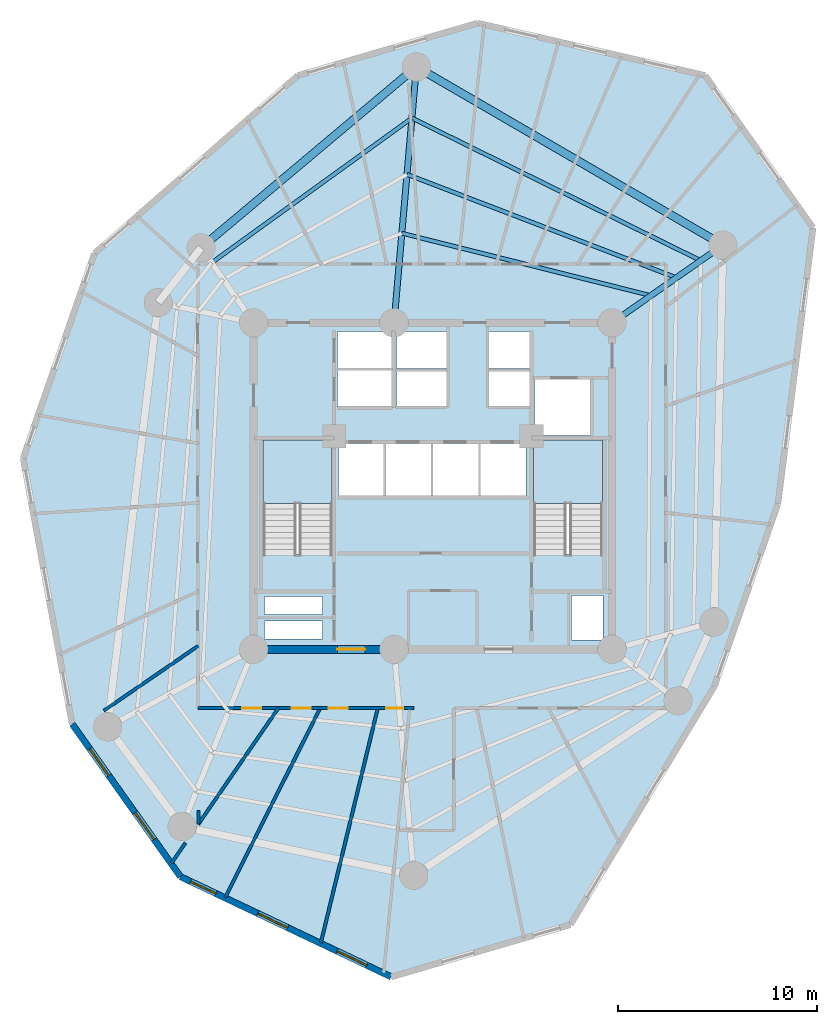
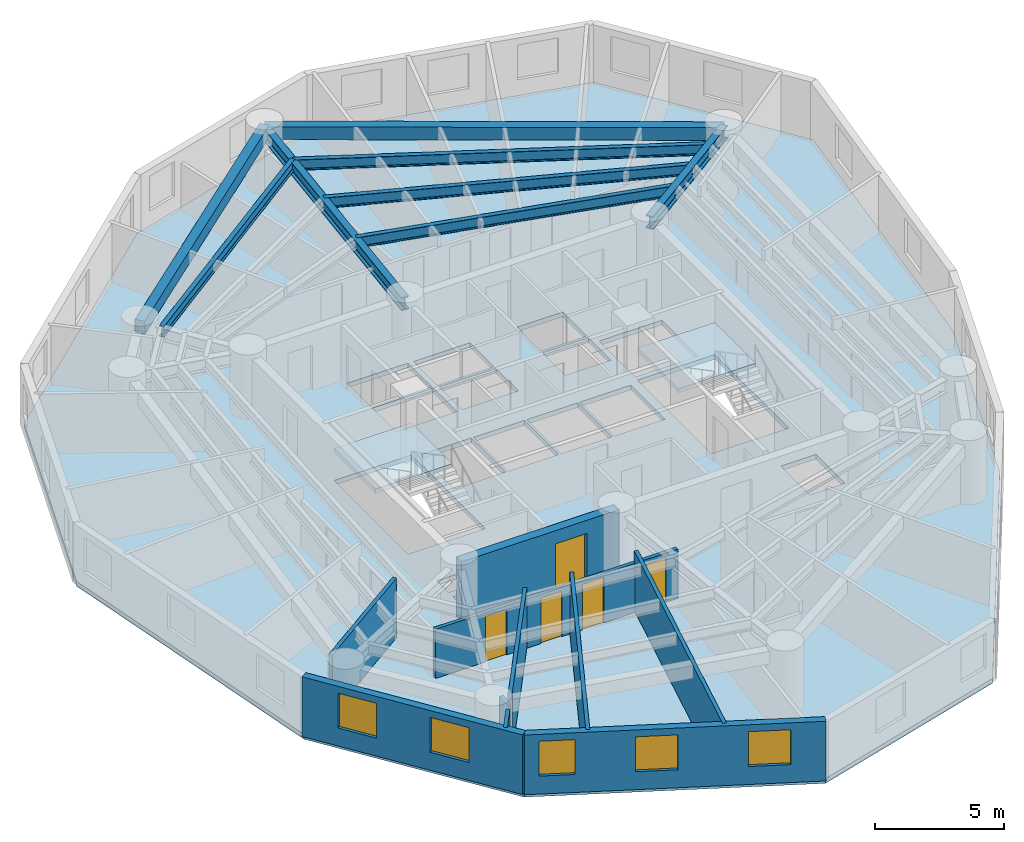
# One storey, part 2 of 7: 10 walls, 8 beams, 5 doors, 5 windows, 3 slabs, 10 openings, 2 elements without a shape of their own.
"""IFC4 building model written with IfcOpenShell, lengths in metres."""

from ifc_helpers import new_model, si_unit, direction, frame, frame_2d, origin, origin_with_axes, origin_2d, place, context, subcontext, project, spatial, polyline, rectangle, i_section, outline, extrude, source, transform, mapped, material, layer, layer_set, material_profile, profile_set, type_object, element, fill, aggregate, save


model = new_model("IFC4")

# Units and contexts
model_context = context("Model", 3, precision=1e-05, world=origin(), true_north=direction((0.0, 1.0)))
body_context = subcontext(model_context, "Body", "Model", "MODEL_VIEW")
ifc_project = project(units=[si_unit("LENGTHUNIT", "METRE"), si_unit("AREAUNIT", "SQUARE_METRE"), si_unit("VOLUMEUNIT", "CUBIC_METRE"), si_unit("PLANEANGLEUNIT", "RADIAN"), si_unit("MASSUNIT", "GRAM", prefix="KILO")], contexts=[model_context])

# Site, building, storey
site_placement = place(None, origin())
site = spatial("IfcSite", under=ifc_project, at=site_placement, CompositionType="ELEMENT")
building_placement = place(site_placement, origin())
building = spatial("IfcBuilding", under=site, at=building_placement, Name="Karkom Vertical University and Central Library", CompositionType="ELEMENT")
storey_placement = place(building_placement, frame((0.0, 0.0, 138.89990234375)))
storey = spatial("IfcBuildingStorey", under=building, at=storey_placement, Name="L39", CompositionType="ELEMENT", Elevation=138.89990234375)

# Beams
ifc_material_1 = material(Name="Precast concrete C45/55", Category="concrete")
ifc_material_profile_1 = material_profile(ifc_material_1, rectangle(XDim=0.39990234375, YDim=0.60009765625, at=origin_2d()), Name="SPB-400x600")
ifc_profile_set_1 = profile_set([ifc_material_profile_1], Name="Precast concrete C45/55")
beam_type_1 = type_object("IfcBeamType", Name="STR-BM-SP-1", PredefinedType="SPANDREL", material=ifc_profile_set_1)
shared_shape_1 = source(origin_with_axes(), body_context, "Body", "SweptSolid", [
    extrude(rectangle(XDim=0.39990234375, YDim=0.60009765625, at=origin_2d()), origin(), (0.0, 0.0, 1.0), 17.808837890625),
])
beam_1_placement = place(storey_placement, frame((43.070068359375, 38.60009765625, 2.525146484375), z_axis=(-0.864512866362, 0.502610688202, 0.0), x_axis=(-0.502610688202, -0.864512866362, 0.0)))
element("IfcBeam", 1, at=beam_1_placement, inside=storey, type_object=beam_type_1, Name="Level 39 Perimeter Spandrel Beam 02", PredefinedType="SPANDREL", context=body_context, shape_type="MappedRepresentation", body=[
    mapped(shared_shape_1, transform((0.0, 0.0, 0.0), scale=1.0)),
])
shared_shape_2 = source(origin_with_axes(), body_context, "Body", "SweptSolid", [
    extrude(rectangle(XDim=0.39990234375, YDim=0.60009765625, at=origin_2d()), origin(), (0.0, 0.0, 1.0), 14.120849609375),
])
beam_2_placement = place(storey_placement, frame((27.674072265625, 47.551025390625, 2.525146484375), z_axis=(-0.765672847866, -0.643230199883, 0.0), x_axis=(0.643230199883, -0.765672847866, 0.0)))
element("IfcBeam", 2, at=beam_2_placement, inside=storey, type_object=beam_type_1, Name="Level 39 Perimeter Spandrel Beam 03", PredefinedType="SPANDREL", context=body_context, shape_type="MappedRepresentation", body=[
    mapped(shared_shape_2, transform((0.0, 0.0, 0.0), scale=1.0)),
])
ifc_material_2 = material(Name="Steel S355", Category="steel")
ifc_material_profile_2 = material_profile(ifc_material_2, i_section(OverallWidth=0.199951171875, OverallDepth=0.5, WebThickness=0.01025390625, FlangeThickness=0.01611328125, FilletRadius=0.02099609375, at=origin_2d()), Name="IPE 500")
ifc_profile_set_2 = profile_set([ifc_material_profile_2], Name="Steel S355")
beam_type_2 = type_object("IfcBeamType", Name="STR-BM-SB-IPE500", PredefinedType="BEAM", material=ifc_profile_set_2)
shared_shape_3 = source(origin_with_axes(), body_context, "Body", "SweptSolid", [
    extrude(i_section(OverallWidth=0.199951171875, OverallDepth=0.5, WebThickness=0.01025390625, FlangeThickness=0.01611328125, FilletRadius=0.02099609375, at=origin_2d()), origin(), (0.0, 0.0, 1.0), 12.892578125),
])
beam_3_placement = place(storey_placement, frame((39.449462890625, 36.06494140625, 2.5751953125), z_axis=(-0.970023194321, 0.243012350468, 0.0), x_axis=(-0.243012350468, -0.970023194321, 0.0)))
element("IfcBeam", 3, at=beam_3_placement, inside=storey, type_object=beam_type_2, Name="Level 39 Secondary Composite Floor Beam 1.02", PredefinedType="BEAM", context=body_context, shape_type="MappedRepresentation", body=[
    mapped(shared_shape_3, transform((0.0, 0.0, 0.0), scale=1.0)),
])
shared_shape_4 = source(origin_with_axes(), body_context, "Body", "SweptSolid", [
    extrude(i_section(OverallWidth=0.199951171875, OverallDepth=0.5, WebThickness=0.01025390625, FlangeThickness=0.01611328125, FilletRadius=0.02099609375, at=origin_2d()), origin(), (0.0, 0.0, 1.0), 14.49072265625),
])
beam_4_placement = place(storey_placement, frame((40.730712890625, 36.9619140625, 2.5751953125), z_axis=(-0.93361673171, 0.35827335691, 0.0), x_axis=(-0.35827335691, -0.93361673171, 0.0)))
element("IfcBeam", 4, at=beam_4_placement, inside=storey, type_object=beam_type_2, Name="Level 39 Secondary Composite Floor Beam 2.02", PredefinedType="BEAM", context=body_context, shape_type="MappedRepresentation", body=[
    mapped(shared_shape_4, transform((0.0, 0.0, 0.0), scale=1.0)),
])
shared_shape_5 = source(origin_with_axes(), body_context, "Body", "SweptSolid", [
    extrude(i_section(OverallWidth=0.199951171875, OverallDepth=0.5, WebThickness=0.01025390625, FlangeThickness=0.01611328125, FilletRadius=0.02099609375, at=origin_2d()), origin(), (0.0, 0.0, 1.0), 16.177978515625),
])
beam_5_placement = place(storey_placement, frame((41.9560546875, 37.820068359375, 2.5751953125), z_axis=(-0.896709262653, 0.442620038263, 0.0), x_axis=(-0.442620038263, -0.896709262653, 0.0)))
element("IfcBeam", 5, at=beam_5_placement, inside=storey, type_object=beam_type_2, Name="Level 39 Secondary Composite Floor Beam 3.02", PredefinedType="BEAM", context=body_context, shape_type="MappedRepresentation", body=[
    mapped(shared_shape_5, transform((0.0, 0.0, 0.0), scale=1.0)),
])
shared_shape_6 = source(origin_with_axes(), body_context, "Body", "SweptSolid", [
    extrude(i_section(OverallWidth=0.199951171875, OverallDepth=0.5, WebThickness=0.01025390625, FlangeThickness=0.01611328125, FilletRadius=0.02099609375, at=origin_2d()), origin(), (0.0, 0.0, 1.0), 12.409423828125),
])
beam_6_placement = place(storey_placement, frame((27.44921875, 44.980712890625, 2.5751953125), z_axis=(-0.810636686292, -0.585549453793, 0.0), x_axis=(0.585549453793, -0.810636686292, 0.0)))
element("IfcBeam", 6, at=beam_6_placement, inside=storey, type_object=beam_type_2, Name="Level 39 Secondary Composite Floor Beam 3.03", PredefinedType="BEAM", context=body_context, shape_type="MappedRepresentation", body=[
    mapped(shared_shape_6, transform((0.0, 0.0, 0.0), scale=1.0)),
])
ifc_material_profile_3 = material_profile(ifc_material_2, i_section(OverallWidth=0.300048828125, OverallDepth=0.60009765625, WebThickness=0.015380859375, FlangeThickness=0.030029296875, FilletRadius=0.027099609375, at=origin_2d()), Name="HE 600 B")
ifc_profile_set_3 = profile_set([ifc_material_profile_3], Name="Steel S355")
beam_type_3 = type_object("IfcBeamType", Name="STR-BM-SB-HE600", PredefinedType="USERDEFINED", material=ifc_profile_set_3)
shared_shape_7 = source(origin_with_axes(), body_context, "Body", "SweptSolid", [
    extrude(i_section(OverallWidth=0.300048828125, OverallDepth=0.60009765625, WebThickness=0.015380859375, FlangeThickness=0.030029296875, FilletRadius=0.027099609375, at=origin_2d()), origin(), (0.0, 0.0, 1.0), 6.7998046875),
])
beam_7_placement = place(storey_placement, frame((37.5, 34.699951171875, 2.525146484375), z_axis=(0.819156008334, 0.573570775066, 0.0), x_axis=(-0.573570775066, 0.819156008334, 0.0)))
element("IfcBeam", 7, at=beam_7_placement, inside=storey, type_object=beam_type_3, Name="Level 39 Radial Frame Girder 02", ObjectType="GIRDER", PredefinedType="USERDEFINED", context=body_context, shape_type="MappedRepresentation", body=[
    mapped(shared_shape_7, transform((0.0, 0.0, 0.0), scale=1.0)),
])
shared_shape_8 = source(origin_with_axes(), body_context, "Body", "SweptSolid", [
    extrude(i_section(OverallWidth=0.300048828125, OverallDepth=0.60009765625, WebThickness=0.015380859375, FlangeThickness=0.030029296875, FilletRadius=0.027099609375, at=origin_2d()), origin(), (0.0, 0.0, 1.0), 12.900146484375),
])
beam_8_placement = place(storey_placement, frame((26.550048828125, 34.699951171875, 2.525146484375), z_axis=(0.087132673751, 0.996196716098, 0.0), x_axis=(-0.996196716098, 0.087132673751, 0.0)))
element("IfcBeam", 8, at=beam_8_placement, inside=storey, type_object=beam_type_3, Name="Level 39 Radial Frame Girder 03", ObjectType="GIRDER", PredefinedType="USERDEFINED", context=body_context, shape_type="MappedRepresentation", body=[
    mapped(shared_shape_8, transform((0.0, 0.0, 0.0), scale=1.0)),
])

# Stair, slab
ifc_material_3 = material(Name="Concrete C45/55", Category="concrete")
stair_type = type_object("IfcStairType", Name="INT-STR-ST-MAIN", PredefinedType="HALF_TURN_STAIR", material=ifc_material_3)
stair_1_placement = place(storey_placement, origin())
stair_1 = element("IfcStair", 9, at=stair_1_placement, inside=storey, type_object=stair_type, Name="Level 39 Tower Protected Exit Stair ST-1", PredefinedType="HALF_TURN_STAIR")
ifc_layer_1 = layer(ifc_material_3, 0.199951171875)
ifc_layer_set_1 = layer_set([ifc_layer_1], Name="Concrete C45/55")
slab_type_1 = type_object("IfcSlabType", Name="INT-SLB-LANDING", PredefinedType="LANDING", material=ifc_layer_set_1)
slab_1_placement = place(storey_placement, frame((0.0, 0.0, 1.3251953125)))
slab_1 = element("IfcSlab", 10, at=slab_1_placement, type_object=slab_type_1, Name="ST-1 landing 1", PredefinedType="LANDING", context=body_context, shape_type="SweptSolid", body=[
    extrude(outline(polyline([(23.43994140625, 25.6298828125), (23.43994140625, 28.820068359375), (19.97998046875, 28.820068359375), (19.97998046875, 25.6298828125), (23.43994140625, 25.6298828125)])), origin(), (0.0, 0.0, 1.0), 0.199951171875),
])
aggregate(stair_1, [slab_1])

stair_2_placement = place(storey_placement, origin())
stair_2 = element("IfcStair", 11, at=stair_2_placement, inside=storey, type_object=stair_type, Name="Level 39 Tower Protected Exit Stair ST-2", PredefinedType="HALF_TURN_STAIR")
slab_2_placement = place(storey_placement, frame((0.0, 0.0, 1.3251953125)))
slab_2 = element("IfcSlab", 12, at=slab_2_placement, type_object=slab_type_1, Name="ST-2 landing 1", PredefinedType="LANDING", context=body_context, shape_type="SweptSolid", body=[
    extrude(outline(polyline([(37.02001953125, 25.6298828125), (37.02001953125, 28.820068359375), (33.56005859375, 28.820068359375), (33.56005859375, 25.6298828125), (37.02001953125, 25.6298828125)])), origin(), (0.0, 0.0, 1.0), 0.199951171875),
])
aggregate(stair_2, [slab_2])

# Slab
ifc_layer_2 = layer(ifc_material_3, 0.22509765625)
ifc_layer_set_2 = layer_set([ifc_layer_2], Name="Concrete C45/55")
slab_type_2 = type_object("IfcSlabType", Name="STR-SLB-FLR-225", PredefinedType="FLOOR", material=ifc_layer_set_2)
slab_3_placement = place(storey_placement, frame((0.0, 0.0, -0.224853515625)))
element("IfcSlab", 13, at=slab_3_placement, inside=storey, type_object=slab_type_2, Name="Level 39 Tower Structural Floor Slab", PredefinedType="FLOOR", context=body_context, shape_type="SweptSolid", body=[
    extrude(outline(polyline([(11.503173828125, 38.1787109375), (7.92529296875, 27.905029296875), (10.386474609375, 14.54736328125), (15.82275390625, 6.882080078125), (26.40380859375, 1.85009765625), (35.406005859375, 4.474853515625), (42.632568359375, 16.43603515625), (45.826904296875, 25.608642578125), (47.593017578125, 39.47119140625), (42.16845703125, 47.1201171875), (30.75048828125, 49.7490234375), (21.72900390625, 47.118408203125), (11.503173828125, 38.1787109375)]), holes=[polyline([(19.97998046875, 23.0849609375), (23.43994140625, 23.0849609375), (23.43994140625, 28.820068359375), (19.97998046875, 28.820068359375), (19.97998046875, 23.0849609375)]), polyline([(33.56005859375, 23.0849609375), (37.02001953125, 23.0849609375), (37.02001953125, 28.820068359375), (33.56005859375, 28.820068359375), (33.56005859375, 23.0849609375)]), polyline([(23.75, 26.0), (26.030029296875, 26.0), (26.030029296875, 28.64990234375), (23.75, 28.64990234375), (23.75, 26.0)]), polyline([(26.1298828125, 26.0), (28.409912109375, 26.0), (28.409912109375, 28.64990234375), (26.1298828125, 28.64990234375), (26.1298828125, 26.0)]), polyline([(28.510009765625, 26.0), (30.7900390625, 26.0), (30.7900390625, 28.64990234375), (28.510009765625, 28.64990234375), (28.510009765625, 26.0)]), polyline([(30.889892578125, 26.0), (33.169921875, 26.0), (33.169921875, 28.64990234375), (30.889892578125, 28.64990234375), (30.889892578125, 26.0)]), polyline([(26.679931640625, 30.5), (29.199951171875, 30.5), (29.199951171875, 32.25), (26.679931640625, 32.25), (26.679931640625, 30.5)]), polyline([(26.679931640625, 32.39990234375), (29.199951171875, 32.39990234375), (29.199951171875, 34.25), (26.679931640625, 34.25), (26.679931640625, 32.39990234375)]), polyline([(31.300048828125, 30.5), (33.35009765625, 30.5), (33.35009765625, 32.25), (31.300048828125, 32.25), (31.300048828125, 30.5)]), polyline([(31.300048828125, 32.39990234375), (33.35009765625, 32.39990234375), (33.35009765625, 34.25), (31.300048828125, 34.25), (31.300048828125, 32.39990234375)]), polyline([(23.719970703125, 30.47998046875), (26.429931640625, 30.47998046875), (26.429931640625, 32.320068359375), (23.719970703125, 32.320068359375), (23.719970703125, 30.47998046875)]), polyline([(23.719970703125, 32.419921875), (26.429931640625, 32.419921875), (26.429931640625, 34.260009765625), (23.719970703125, 34.260009765625), (23.719970703125, 32.419921875)]), polyline([(33.60009765625, 29.050048828125), (36.39990234375, 29.050048828125), (36.39990234375, 31.85009765625), (33.60009765625, 31.85009765625), (33.60009765625, 29.050048828125)]), polyline([(20.050048828125, 18.820068359375), (22.949951171875, 18.820068359375), (22.949951171875, 19.719970703125), (20.050048828125, 19.719970703125), (20.050048828125, 18.820068359375)]), polyline([(20.050048828125, 20.06005859375), (22.949951171875, 20.06005859375), (22.949951171875, 20.9599609375), (20.050048828125, 20.9599609375), (20.050048828125, 20.06005859375)]), polyline([(35.4599609375, 18.760009765625), (37.0400390625, 18.760009765625), (37.0400390625, 21.010009765625), (35.4599609375, 21.010009765625), (35.4599609375, 18.760009765625)])]), origin(), (0.0, 0.0, 1.0), 0.224853515625),
])

# Wall, openings, windows
ifc_material_4 = material(Name="Brick-faced precast concrete C45/55", Category="masonry")
ifc_layer_3 = layer(ifc_material_4, 0.320068359375)
ifc_layer_set_3 = layer_set([ifc_layer_3], Name="Brick-faced precast concrete C45/55")
wall_type_1 = type_object("IfcWallType", Name="ENV-WL-BRK-320", PredefinedType="SOLIDWALL", material=ifc_layer_set_3)
wall_1_placement = place(storey_placement, frame((10.386474609375, 14.54736328125, 0.0), z_axis=(0.0, 0.0, 1.0), x_axis=(0.578492267771, -0.815687866852, 0.0)))
wall_1 = element("IfcWall", 14, at=wall_1_placement, inside=storey, type_object=wall_type_1, Name="Level 39 Brick-Faced Precast Facade Wall 03", PredefinedType="SOLIDWALL", context=body_context, shape_type="SweptSolid", body=[
    extrude(rectangle(XDim=9.397216796875, YDim=0.320068359375, at=frame_2d((4.69873046875, 0.0))), origin(), (0.0, 0.0, 1.0), 2.8251953125),
])
opening_1_placement = place(wall_1_placement, frame((1.522705078125, 0.0, 0.85009765625)))
opening_1 = element("IfcOpeningElement", 15, at=opening_1_placement, cuts=wall_1, Name="Opening WN-06", PredefinedType="OPENING", context=body_context, shape_type="SweptSolid", body=[
    extrude(rectangle(XDim=1.64990234375, YDim=1.64990234375, at=frame_2d((0.824951171875, 0.824951171875))), frame((0.0, 0.169921875, 0.0), z_axis=(0.0, -1.0, 0.0), x_axis=(1.0, 0.0, 0.0)), (0.0, 0.0, 1.0), 0.340087890625),
])
opening_2_placement = place(wall_1_placement, frame((5.457763671875, 0.0, 0.85009765625)))
opening_2 = element("IfcOpeningElement", 16, at=opening_2_placement, cuts=wall_1, Name="Opening WN-06", PredefinedType="OPENING", context=body_context, shape_type="SweptSolid", body=[
    extrude(rectangle(XDim=1.64990234375, YDim=1.64990234375, at=frame_2d((0.824951171875, 0.824951171875))), frame((0.0, 0.169921875, 0.0), z_axis=(0.0, -1.0, 0.0), x_axis=(1.0, 0.0, 0.0)), (0.0, 0.0, 1.0), 0.340087890625),
])
ifc_material_5 = material(Name="Aluminium thermal-break frame with solar-control IGU", Category="aluminium")
window_type_1 = type_object("IfcWindowType", Name="ENV-WIN-WN-06", PartitioningType="SINGLE_PANEL", PredefinedType="WINDOW", material=ifc_material_5)
shared_shape_9 = source(origin_with_axes(), body_context, "Body", "SweptSolid", [
    extrude(rectangle(XDim=1.64990234375, YDim=1.64990234375, at=frame_2d((0.824951171875, 0.824951171875))), frame((0.0, 0.030029296875, 0.0), z_axis=(0.0, -1.0, 0.0), x_axis=(1.0, 0.0, 0.0)), (0.0, 0.0, 1.0), 0.06005859375),
])
window_1_placement = place(opening_1_placement, origin())
window_1 = element("IfcWindow", 17, at=window_1_placement, inside=storey, type_object=window_type_1, Name="Level 39 Punched Window 3.1", OverallHeight=1.64990234375, OverallWidth=1.64990234375, PartitioningType="SINGLE_PANEL", PredefinedType="WINDOW", context=body_context, shape_type="MappedRepresentation", body=[
    mapped(shared_shape_9, transform((0.0, 0.0, 0.0), scale=1.0)),
])
fill(opening_1, window_1)
window_2_placement = place(opening_2_placement, origin())
window_2 = element("IfcWindow", 18, at=window_2_placement, inside=storey, type_object=window_type_1, Name="Level 39 Punched Window 3.2", OverallHeight=1.64990234375, OverallWidth=1.64990234375, PartitioningType="SINGLE_PANEL", PredefinedType="WINDOW", context=body_context, shape_type="MappedRepresentation", body=[
    mapped(shared_shape_9, transform((0.0, 0.0, 0.0), scale=1.0)),
])
fill(opening_2, window_2)

wall_2_placement = place(storey_placement, frame((15.82275390625, 6.882080078125, 0.0), z_axis=(0.0, 0.0, 1.0), x_axis=(0.90307955689, -0.429473298271, 0.0)))
wall_2 = element("IfcWall", 19, at=wall_2_placement, inside=storey, type_object=wall_type_1, Name="Level 39 Brick-Faced Precast Facade Wall 04", PredefinedType="SOLIDWALL", context=body_context, shape_type="SweptSolid", body=[
    extrude(rectangle(XDim=11.716552734375, YDim=0.320068359375, at=frame_2d((5.8583984375, 0.0))), origin(), (0.0, 0.0, 1.0), 2.8251953125),
])
opening_3_placement = place(wall_2_placement, frame((0.5693359375, 0.0, 0.85009765625)))
opening_3 = element("IfcOpeningElement", 20, at=opening_3_placement, cuts=wall_2, Name="Opening WN-07", PredefinedType="OPENING", context=body_context, shape_type="SweptSolid", body=[
    extrude(rectangle(XDim=1.39990234375, YDim=1.64990234375, at=frame_2d((0.699951171875, 0.824951171875))), frame((0.0, 0.169921875, 0.0), z_axis=(0.0, -1.0, 0.0), x_axis=(1.0, 0.0, 0.0)), (0.0, 0.0, 1.0), 0.340087890625),
])
opening_4_placement = place(wall_2_placement, frame((4.309326171875, 0.0, 0.85009765625)))
opening_4 = element("IfcOpeningElement", 21, at=opening_4_placement, cuts=wall_2, Name="Opening WN-06", PredefinedType="OPENING", context=body_context, shape_type="SweptSolid", body=[
    extrude(rectangle(XDim=1.64990234375, YDim=1.64990234375, at=frame_2d((0.824951171875, 0.824951171875))), frame((0.0, 0.169921875, 0.0), z_axis=(0.0, -1.0, 0.0), x_axis=(1.0, 0.0, 0.0)), (0.0, 0.0, 1.0), 0.340087890625),
])
opening_5_placement = place(wall_2_placement, frame((8.7080078125, 0.0, 0.85009765625)))
opening_5 = element("IfcOpeningElement", 22, at=opening_5_placement, cuts=wall_2, Name="Opening WN-06", PredefinedType="OPENING", context=body_context, shape_type="SweptSolid", body=[
    extrude(rectangle(XDim=1.64990234375, YDim=1.64990234375, at=frame_2d((0.824951171875, 0.824951171875))), frame((0.0, 0.169921875, 0.0), z_axis=(0.0, -1.0, 0.0), x_axis=(1.0, 0.0, 0.0)), (0.0, 0.0, 1.0), 0.340087890625),
])
window_3_placement = place(opening_4_placement, origin())
window_3 = element("IfcWindow", 23, at=window_3_placement, inside=storey, type_object=window_type_1, Name="Level 39 Punched Window 4.2", OverallHeight=1.64990234375, OverallWidth=1.64990234375, PartitioningType="SINGLE_PANEL", PredefinedType="WINDOW", context=body_context, shape_type="MappedRepresentation", body=[
    mapped(shared_shape_9, transform((0.0, 0.0, 0.0), scale=1.0)),
])
fill(opening_4, window_3)
window_4_placement = place(opening_5_placement, origin())
window_4 = element("IfcWindow", 24, at=window_4_placement, inside=storey, type_object=window_type_1, Name="Level 39 Punched Window 4.3", OverallHeight=1.64990234375, OverallWidth=1.64990234375, PartitioningType="SINGLE_PANEL", PredefinedType="WINDOW", context=body_context, shape_type="MappedRepresentation", body=[
    mapped(shared_shape_9, transform((0.0, 0.0, 0.0), scale=1.0)),
])
fill(opening_5, window_4)
window_type_2 = type_object("IfcWindowType", Name="ENV-WIN-WN-07", PartitioningType="SINGLE_PANEL", PredefinedType="WINDOW", material=ifc_material_5)
shared_shape_10 = source(origin_with_axes(), body_context, "Body", "SweptSolid", [
    extrude(rectangle(XDim=1.39990234375, YDim=1.64990234375, at=frame_2d((0.699951171875, 0.824951171875))), frame((0.0, 0.030029296875, 0.0), z_axis=(0.0, -1.0, 0.0), x_axis=(1.0, 0.0, 0.0)), (0.0, 0.0, 1.0), 0.06005859375),
])
window_5_placement = place(opening_3_placement, origin())
window_5 = element("IfcWindow", 25, at=window_5_placement, inside=storey, type_object=window_type_2, Name="Level 39 Punched Window 4.1", OverallHeight=1.64990234375, OverallWidth=1.39990234375, PartitioningType="SINGLE_PANEL", PredefinedType="WINDOW", context=body_context, shape_type="MappedRepresentation", body=[
    mapped(shared_shape_10, transform((0.0, 0.0, 0.0), scale=1.0)),
])
fill(opening_3, window_5)

# Wall
ifc_material_6 = material(Name="Insulated metal-stud drywall 160mm", Category="gypsum")
ifc_layer_4 = layer(ifc_material_6, 0.159912109375)
ifc_layer_set_4 = layer_set([ifc_layer_4], Name="Insulated metal-stud drywall 160mm")
wall_type_2 = type_object("IfcWallType", Name="INT-WL-COR-160", PredefinedType="PARTITIONING", material=ifc_layer_set_4)
wall_3_placement = place(storey_placement, frame((25.741943359375, 15.379150390625, 0.0), z_axis=(0.0, 0.0, 1.0), x_axis=(-0.235616109052, -0.971846206534, 0.0)))
element("IfcWall", 26, at=wall_3_placement, inside=storey, type_object=wall_type_2, Name="Level 39 Interior Partition Wall L39-PW-008", PredefinedType="PARTITIONING", context=body_context, shape_type="SweptSolid", body=[
    extrude(rectangle(XDim=12.164794921875, YDim=0.159912109375, at=frame_2d((6.08251953125, 0.0))), origin(), (0.0, 0.0, 1.0), 2.8251953125),
])

# Wall, openings, doors
wall_4_placement = place(storey_placement, frame((27.550048828125, 15.35009765625, 0.0), z_axis=(0.0, 0.0, 1.0), x_axis=(-1.0, 0.0, 0.0)))
wall_4 = element("IfcWall", 27, at=wall_4_placement, inside=storey, type_object=wall_type_2, Name="Level 39 Interior Partition Wall L39-CORW-CW-001", PredefinedType="PARTITIONING", context=body_context, shape_type="SweptSolid", body=[
    extrude(rectangle(XDim=10.85009765625, YDim=0.159912109375, at=frame_2d((5.425048828125, 0.0))), origin(), (0.0, 0.0, 1.0), 2.3251953125),
])
opening_6_placement = place(wall_4_placement, frame((7.66259765625, 0.0, 0.0)))
opening_6 = element("IfcOpeningElement", 28, at=opening_6_placement, cuts=wall_4, Name="Opening D-RM1", PredefinedType="OPENING", context=body_context, shape_type="SweptSolid", body=[
    extrude(rectangle(XDim=0.949951171875, YDim=2.14990234375, at=frame_2d((0.47509765625, 1.074951171875))), frame((0.0, 0.08984375, 0.0), z_axis=(0.0, -1.0, 0.0), x_axis=(1.0, 0.0, 0.0)), (0.0, 0.0, 1.0), 0.179931640625),
])
opening_7_placement = place(wall_4_placement, frame((5.18994140625, 0.0, 0.0)))
opening_7 = element("IfcOpeningElement", 29, at=opening_7_placement, cuts=wall_4, Name="Opening D-RM1", PredefinedType="OPENING", context=body_context, shape_type="SweptSolid", body=[
    extrude(rectangle(XDim=0.949951171875, YDim=2.14990234375, at=frame_2d((0.47509765625, 1.074951171875))), frame((0.0, 0.08984375, 0.0), z_axis=(0.0, -1.0, 0.0), x_axis=(1.0, 0.0, 0.0)), (0.0, 0.0, 1.0), 0.179931640625),
])
opening_8_placement = place(wall_4_placement, frame((3.322509765625, 0.0, 0.0)))
opening_8 = element("IfcOpeningElement", 30, at=opening_8_placement, cuts=wall_4, Name="Opening D-RM1", PredefinedType="OPENING", context=body_context, shape_type="SweptSolid", body=[
    extrude(rectangle(XDim=0.949951171875, YDim=2.14990234375, at=frame_2d((0.47509765625, 1.074951171875))), frame((0.0, 0.08984375, 0.0), z_axis=(0.0, -1.0, 0.0), x_axis=(1.0, 0.0, 0.0)), (0.0, 0.0, 1.0), 0.179931640625),
])
opening_9_placement = place(wall_4_placement, frame((0.53466796875, 0.0, 0.0)))
opening_9 = element("IfcOpeningElement", 31, at=opening_9_placement, cuts=wall_4, Name="Opening D-BATH", PredefinedType="OPENING", context=body_context, shape_type="SweptSolid", body=[
    extrude(rectangle(XDim=0.860107421875, YDim=2.10009765625, at=frame_2d((0.43017578125, 1.050048828125))), frame((0.0, 0.08984375, 0.0), z_axis=(0.0, -1.0, 0.0), x_axis=(1.0, 0.0, 0.0)), (0.0, 0.0, 1.0), 0.179931640625),
])
ifc_material_7 = material(Name="Moisture-resistant oak door", Category="wood")
door_type_1 = type_object("IfcDoorType", Name="INT-DR-BATH", OperationType="NOTDEFINED", PredefinedType="DOOR", material=ifc_material_7)
shared_shape_11 = source(origin_with_axes(), body_context, "Body", "SweptSolid", [
    extrude(rectangle(XDim=0.860107421875, YDim=2.10009765625, at=frame_2d((0.43017578125, 1.050048828125))), frame((0.0, 0.02490234375, 0.0), z_axis=(0.0, -1.0, 0.0), x_axis=(1.0, 0.0, 0.0)), (0.0, 0.0, 1.0), 0.050048828125),
])
door_1_placement = place(opening_9_placement, origin())
door_1 = element("IfcDoor", 32, at=door_1_placement, inside=storey, type_object=door_type_1, Name="Level 39 Room Entry Door 050", OperationType="SINGLE_SWING_RIGHT", OverallHeight=2.10009765625, OverallWidth=0.860107421875, PredefinedType="DOOR", context=body_context, shape_type="MappedRepresentation", body=[
    mapped(shared_shape_11, transform((0.0, 0.0, 0.0), scale=1.0)),
])
fill(opening_9, door_1)
ifc_material_8 = material(Name="Solid-core oak veneer door", Category="wood")
door_type_2 = type_object("IfcDoorType", Name="INT-DR-RM1", OperationType="NOTDEFINED", PredefinedType="DOOR", material=ifc_material_8)
shared_shape_12 = source(origin_with_axes(), body_context, "Body", "SweptSolid", [
    extrude(rectangle(XDim=0.949951171875, YDim=2.14990234375, at=frame_2d((0.47509765625, 1.074951171875))), frame((0.0, 0.02490234375, 0.0), z_axis=(0.0, -1.0, 0.0), x_axis=(1.0, 0.0, 0.0)), (0.0, 0.0, 1.0), 0.050048828125),
])
door_2_placement = place(opening_6_placement, origin())
door_2 = element("IfcDoor", 33, at=door_2_placement, inside=storey, type_object=door_type_2, Name="Level 39 Room Entry Door 020", OperationType="SINGLE_SWING_LEFT", OverallHeight=2.14990234375, OverallWidth=0.949951171875, PredefinedType="DOOR", context=body_context, shape_type="MappedRepresentation", body=[
    mapped(shared_shape_12, transform((0.0, 0.0, 0.0), scale=1.0)),
])
fill(opening_6, door_2)
door_3_placement = place(opening_7_placement, origin())
door_3 = element("IfcDoor", 34, at=door_3_placement, inside=storey, type_object=door_type_2, Name="Level 39 Room Entry Door 030", OperationType="SINGLE_SWING_RIGHT", OverallHeight=2.14990234375, OverallWidth=0.949951171875, PredefinedType="DOOR", context=body_context, shape_type="MappedRepresentation", body=[
    mapped(shared_shape_12, transform((0.0, 0.0, 0.0), scale=1.0)),
])
fill(opening_7, door_3)
door_4_placement = place(opening_8_placement, origin())
door_4 = element("IfcDoor", 35, at=door_4_placement, inside=storey, type_object=door_type_2, Name="Level 39 Room Entry Door 040", OperationType="SINGLE_SWING_LEFT", OverallHeight=2.14990234375, OverallWidth=0.949951171875, PredefinedType="DOOR", context=body_context, shape_type="MappedRepresentation", body=[
    mapped(shared_shape_12, transform((0.0, 0.0, 0.0), scale=1.0)),
])
fill(opening_8, door_4)

# Walls
wall_5_placement = place(storey_placement, frame((22.85400390625, 15.376708984375, 0.0), z_axis=(0.0, 0.0, 1.0), x_axis=(-0.44832083919, -0.893872711938, 0.0)))
element("IfcWall", 36, at=wall_5_placement, inside=storey, type_object=wall_type_2, Name="Level 39 Interior Partition Wall L39-PW-007", PredefinedType="PARTITIONING", context=body_context, shape_type="SweptSolid", body=[
    extrude(rectangle(XDim=10.668701171875, YDim=0.159912109375, at=frame_2d((5.33447265625, 0.0))), origin(), (0.0, 0.0, 1.0), 2.8251953125),
])
wall_6_placement = place(storey_placement, frame((20.7587890625, 15.374755859375, 0.0), z_axis=(0.0, 0.0, 1.0), x_axis=(-0.567487382716, -0.823382092627, 0.0)))
element("IfcWall", 37, at=wall_6_placement, inside=storey, type_object=wall_type_2, Name="Level 39 Interior Partition Wall L39-PW-004", PredefinedType="PARTITIONING", context=body_context, shape_type="SweptSolid", body=[
    extrude(rectangle(XDim=7.109619140625, YDim=0.159912109375, at=frame_2d((3.5546875, 0.0))), origin(), (0.0, 0.0, 1.0), 2.8251953125),
])
wall_7_placement = place(storey_placement, frame((16.724609375, 18.481201171875, 0.0), z_axis=(0.0, 0.0, 1.0), x_axis=(-0.8241595355, -0.566357713856, 0.0)))
element("IfcWall", 38, at=wall_7_placement, inside=storey, type_object=wall_type_2, Name="Level 39 Interior Partition Wall L39-PW-003", PredefinedType="PARTITIONING", context=body_context, shape_type="SweptSolid", body=[
    extrude(rectangle(XDim=5.753173828125, YDim=0.159912109375, at=frame_2d((2.87646484375, 0.0))), origin(), (0.0, 0.0, 1.0), 2.8251953125),
])
wall_8_placement = place(storey_placement, frame((16.074951171875, 8.5791015625, 0.0), z_axis=(0.0, 0.0, 1.0), x_axis=(-0.567603454635, -0.823302082037, 0.0)))
element("IfcWall", 39, at=wall_8_placement, inside=storey, type_object=wall_type_2, Name="Level 39 Interior Partition Wall L39-PW-006", PredefinedType="PARTITIONING", context=body_context, shape_type="SweptSolid", body=[
    extrude(rectangle(XDim=1.233642578125, YDim=0.159912109375, at=frame_2d((0.61669921875, 0.0))), origin(), (0.0, 0.0, 1.0), 2.8251953125),
])
wall_9_placement = place(storey_placement, frame((16.72412109375, 9.520751953125, 0.0), z_axis=(0.0, 0.0, 1.0), x_axis=(0.0, 1.0, 0.0)))
element("IfcWall", 40, at=wall_9_placement, inside=storey, type_object=wall_type_2, Name="Level 39 Interior Partition Wall L39-PW-005", PredefinedType="PARTITIONING", context=body_context, shape_type="SweptSolid", body=[
    extrude(rectangle(XDim=0.6982421875, YDim=0.159912109375, at=frame_2d((0.34912109375, 0.0))), origin(), (0.0, 0.0, 1.0), 2.22509765625),
])

# Wall, opening, door
ifc_material_9 = material(Name="Concrete C50/60", Category="concrete")
ifc_layer_5 = layer(ifc_material_9, 0.39990234375)
ifc_layer_set_5 = layer_set([ifc_layer_5], Name="Concrete C50/60")
wall_type_3 = type_object("IfcWallType", Name="STR-WL-CW-400", PredefinedType="SHEAR", material=ifc_layer_set_5)
wall_10_placement = place(storey_placement, frame((19.5, 18.300048828125, 0.0), z_axis=(0.0, 0.0, 1.0), x_axis=(1.0, 0.0, 0.0)))
wall_10 = element("IfcWall", 41, at=wall_10_placement, inside=storey, type_object=wall_type_3, Name="Level 39 Central Core Shear Wall SW1", PredefinedType="SHEAR", context=body_context, shape_type="SweptSolid", body=[
    extrude(rectangle(XDim=7.050048828125, YDim=0.39990234375, at=frame_2d((3.52490234375, 0.0))), origin(), (0.0, 0.0, 1.0), 2.8251953125),
])
opening_10_placement = place(wall_10_placement, frame((4.199951171875, 0.0, 0.0)))
opening_10 = element("IfcOpeningElement", 42, at=opening_10_placement, cuts=wall_10, Name="Opening FD-CLB", PredefinedType="OPENING", context=body_context, shape_type="SweptSolid", body=[
    extrude(rectangle(XDim=1.39990234375, YDim=2.199951171875, at=frame_2d((0.699951171875, 1.10009765625))), frame((0.0, 0.2099609375, 0.0), z_axis=(0.0, -1.0, 0.0), x_axis=(1.0, 0.0, 0.0)), (0.0, 0.0, 1.0), 0.419921875),
])
ifc_material_10 = material(Name="Painted steel fire door", Category="steel")
door_type_3 = type_object("IfcDoorType", Name="INT-DR-CLB", OperationType="DOUBLE_DOOR_SINGLE_SWING", PredefinedType="DOOR", material=ifc_material_10)
shared_shape_13 = source(origin_with_axes(), body_context, "Body", "SweptSolid", [
    extrude(rectangle(XDim=1.39990234375, YDim=2.199951171875, at=frame_2d((0.699951171875, 1.10009765625))), frame((0.0, 0.02490234375, 0.0), z_axis=(0.0, -1.0, 0.0), x_axis=(1.0, 0.0, 0.0)), (0.0, 0.0, 1.0), 0.050048828125),
])
door_5_placement = place(opening_10_placement, origin())
door_5 = element("IfcDoor", 43, at=door_5_placement, inside=storey, type_object=door_type_3, Name="Level 39 South Core Lobby West Exit Door", OperationType="DOUBLE_DOOR_SINGLE_SWING", OverallHeight=2.199951171875, OverallWidth=1.39990234375, PredefinedType="DOOR", context=body_context, shape_type="MappedRepresentation", body=[
    mapped(shared_shape_13, transform((0.0, 0.0, 0.0), scale=1.0)),
])
fill(opening_10, door_5)

save(model, "model.ifc")
